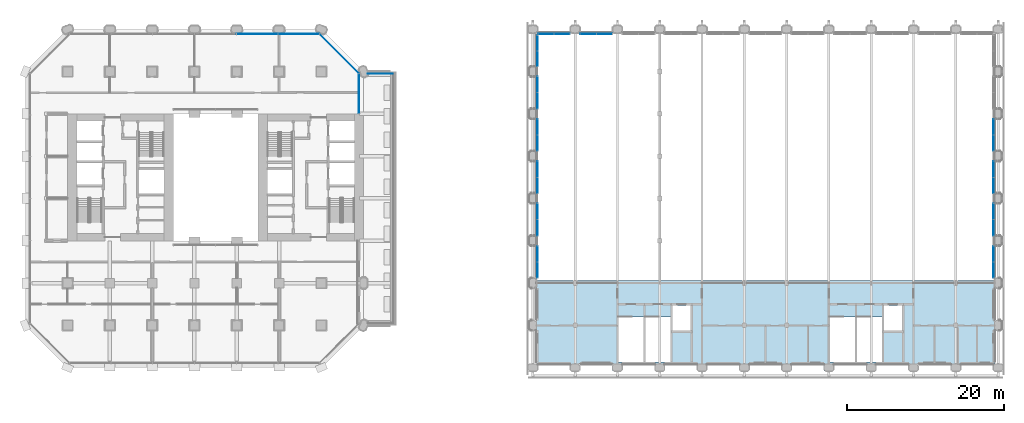
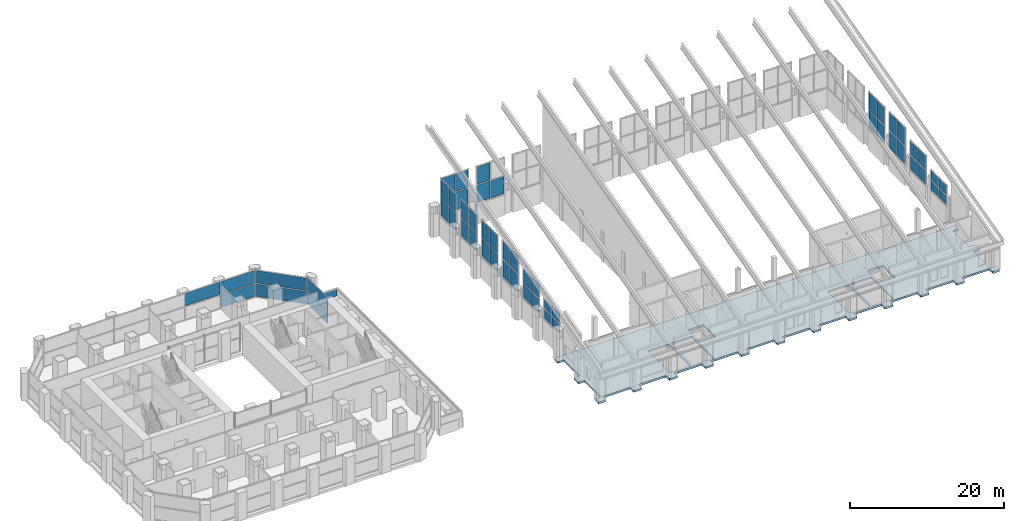
# One storey, part 25 of 42: 55 plates, 1 slab, 15 elements without a shape of their own.
"""IFC4 building model written with IfcOpenShell, lengths in metres."""

import ifcopenshell
import ifcopenshell.guid

model = None  # the IFC model being written
_history = None  # IfcOwnerHistory: only IFC2X3 demands one
_inside = {}  # id of a spatial element -> (the spatial element, [elements in it])
_under = {}  # id of a project, library or spatial element -> (it, [spatial elements below it])
_declared = {}  # id of a project -> (the project, [libraries it declares])
_typed = {}  # id of a type object -> (the type object, [elements of that type])
_made_of = {}  # id of a material, layer set ... -> (it, [elements and type objects made of it])


def new_model(schema):
    """Start an empty IFC model of exactly this schema.

    Asked for "IFC4X3", IfcOpenShell would pick the latest addendum, in which some entities
    have other attributes; the version numbers below select the first issue.
    IFC2X3 requires an IfcOwnerHistory on every rooted entity: one is made here for all.
    """
    global model, _history
    if schema == "IFC4X3":
        model = ifcopenshell.file(schema_version=(4, 3, 0, 0))
    else:
        model = ifcopenshell.file(schema=schema)
    _inside.clear()
    _under.clear()
    _declared.clear()
    _typed.clear()
    _made_of.clear()
    _history = None
    if model.schema == "IFC2X3":
        org = make("IfcOrganization", Name="unknown")
        user = make(
            "IfcPersonAndOrganization",
            ThePerson=make("IfcPerson", FamilyName="unknown"),
            TheOrganization=org,
        )
        app = make(
            "IfcApplication",
            ApplicationDeveloper=org,
            Version="unknown",
            ApplicationFullName="unknown",
            ApplicationIdentifier="unknown",
        )
        _history = make(
            "IfcOwnerHistory",
            OwningUser=user,
            OwningApplication=app,
            ChangeAction="ADDED",
            CreationDate=0,
        )
    return model


def make(cls, **values):
    """One entity of the class cls with the attributes given. An attribute that is None is left unset."""
    return model.create_entity(
        cls, **{name: value for name, value in values.items() if value is not None}
    )


def rooted(cls, **values):
    """An entity with a GlobalId (a new one), such as an element, a storey or a relation."""
    return make(cls, GlobalId=ifcopenshell.guid.new(), OwnerHistory=_history, **values)


def si_unit(unit_type, name, prefix=None):
    """IfcSIUnit, for example si_unit("LENGTHUNIT", "METRE", prefix="MILLI")."""
    return make("IfcSIUnit", UnitType=unit_type, Prefix=prefix, Name=name)


def assignment(units):
    """IfcUnitAssignment: the units of a project."""
    return None if units is None else make("IfcUnitAssignment", Units=units)


def point(xyz):
    """IfcCartesianPoint."""
    return None if xyz is None else make("IfcCartesianPoint", Coordinates=xyz)


def direction(xyz):
    """IfcDirection."""
    return None if xyz is None else make("IfcDirection", DirectionRatios=xyz)


def frame(location, z_axis=None, x_axis=None):
    """IfcAxis2Placement3D, a coordinate frame: its origin and axes. An axis left out is left unset."""
    return make(
        "IfcAxis2Placement3D",
        Location=point(location),
        Axis=direction(z_axis),
        RefDirection=direction(x_axis),
    )


def frame_2d(location, x_axis=None):
    """IfcAxis2Placement2D, a coordinate frame in the plane: its origin and x axis."""
    return make(
        "IfcAxis2Placement2D", Location=point(location), RefDirection=direction(x_axis)
    )


def origin():
    """The frame at (0, 0, 0) with its axes left unset."""
    return frame((0.0, 0.0, 0.0))


def origin_2d():
    """The frame at (0, 0) in the plane with its x axis left unset."""
    return frame_2d((0.0, 0.0))


def place(relative_to, where):
    """IfcLocalPlacement: puts the frame where relative to a parent placement (None: the world)."""
    return make(
        "IfcLocalPlacement", PlacementRelTo=relative_to, RelativePlacement=where
    )


def context(
    kind, dimensions, precision=None, world=None, true_north=None, identifier=None
):
    """IfcGeometricRepresentationContext, for example the 3D "Model" context."""
    return make(
        "IfcGeometricRepresentationContext",
        ContextIdentifier=identifier,
        ContextType=kind,
        CoordinateSpaceDimension=dimensions,
        Precision=precision,
        WorldCoordinateSystem=world,
        TrueNorth=true_north,
    )


def subcontext(parent, identifier, kind, view, scale=None):
    """IfcGeometricRepresentationSubContext, for example "Body" below "Model"."""
    return make(
        "IfcGeometricRepresentationSubContext",
        ContextIdentifier=identifier,
        ContextType=kind,
        ParentContext=parent,
        TargetScale=scale,
        TargetView=view,
    )


def project(units=None, contexts=None):
    """IfcProject with its units and contexts."""
    return rooted(
        "IfcProject",
        Name="project",
        RepresentationContexts=contexts,
        UnitsInContext=assignment(units),
    )


def spatial(cls, under=None, at=None, **own):
    """A site, building, storey or space (cls), placed at a placement, below another one or the project."""
    s = rooted(cls, ObjectPlacement=at, **own)
    if under is not None:
        _under.setdefault(under.id(), (under, []))[1].append(s)
    return s


def polyline(points):
    """IfcPolyline through the points."""
    return make("IfcPolyline", Points=[point(p) for p in points])


def profile(cls, at=None, kind="AREA", **sizes):
    """A parametric profile (cls). Its sizes go by their IFC names, for example OverallWidth=200.0."""
    return make(cls, ProfileType=kind, Position=at, **sizes)


def rectangle(**sizes):
    """IfcRectangleProfileDef."""
    return profile("IfcRectangleProfileDef", **sizes)


def outline(outer, holes=None, kind="AREA"):
    """IfcArbitraryClosedProfileDef: a profile drawn as a closed curve; with holes, ...WithVoids."""
    if holes is None:
        return make("IfcArbitraryClosedProfileDef", ProfileType=kind, OuterCurve=outer)
    return make(
        "IfcArbitraryProfileDefWithVoids",
        ProfileType=kind,
        OuterCurve=outer,
        InnerCurves=holes,
    )


def extrude(swept, where, along, depth):
    """IfcExtrudedAreaSolid: the profile swept, set in the frame where, extruded along a direction by depth."""
    return make(
        "IfcExtrudedAreaSolid",
        SweptArea=swept,
        Position=where,
        ExtrudedDirection=direction(along),
        Depth=depth,
    )


def shape(context_of_items, identifier, shape_type, items):
    """IfcShapeRepresentation: the items that make up one representation, for example the "Body"."""
    return make(
        "IfcShapeRepresentation",
        ContextOfItems=context_of_items,
        RepresentationIdentifier=identifier,
        RepresentationType=shape_type,
        Items=items,
    )


def material(Name=None, Category=None):
    """IfcMaterial."""
    return make("IfcMaterial", Name=Name, Category=Category)


def layer(
    of_material, thickness, ventilated=None, Name=None, Category=None, Priority=None
):
    """IfcMaterialLayer: one layer of a wall or slab, of a material (None: an air gap)."""
    return make(
        "IfcMaterialLayer",
        Material=of_material,
        LayerThickness=thickness,
        IsVentilated=ventilated,
        Name=Name,
        Category=Category,
        Priority=Priority,
    )


def layer_set(layers, Name=None):
    """IfcMaterialLayerSet."""
    return make("IfcMaterialLayerSet", MaterialLayers=layers, LayerSetName=Name)


def made_of(thing, what):
    """Note that an element or type object is made of a material, layer set ...; save() writes the relation."""
    if what is not None:
        _made_of.setdefault(what.id(), (what, []))[1].append(thing)
    return thing


def type_object(cls, material=None, **own):
    """A type object (cls), such as IfcWallType, which elements share."""
    return made_of(rooted(cls, **own), material)


def element(
    cls,
    number,
    at=None,
    inside=None,
    cuts=None,
    type_object=None,
    material=None,
    context=None,
    identifier="Body",
    shape_type=None,
    held_by="IfcProductDefinitionShape",
    body=None,
    shapes=None,
    **own,
):
    """One element of the class cls, such as IfcWall. Its Tag is "e" and its number.

    at: its placement. inside: the storey or other place that contains it. cuts: it is an
    opening in that element (IfcRelVoidsElement). A single representation is given by context,
    identifier, shape_type and body (its items); several are given by shapes. held_by: the class
    of the entity that holds the representations. save() writes the other relations.
    """
    e = rooted(cls, Tag="e%d" % number, ObjectPlacement=at, **own)
    if body is not None:
        shapes = [shape(context, identifier, shape_type, body)]
    if shapes is not None:
        e.Representation = make(held_by, Representations=shapes)
    if inside is not None:
        _inside.setdefault(inside.id(), (inside, []))[1].append(e)
    if cuts is not None:
        rooted(
            "IfcRelVoidsElement", RelatingBuildingElement=cuts, RelatedOpeningElement=e
        )
    if type_object is not None:
        _typed.setdefault(type_object.id(), (type_object, []))[1].append(e)
    return made_of(e, material)


def aggregate(whole, parts):
    """IfcRelAggregates: a whole, such as a stair, and the parts it consists of."""
    return rooted("IfcRelAggregates", RelatingObject=whole, RelatedObjects=parts)


def save(model, path):
    """Write the relations noted so far, then the file.

    IfcRelAggregates (storeys below a building ...), IfcRelContainedInSpatialStructure (elements
    in a storey), IfcRelDefinesByType, IfcRelAssociatesMaterial and IfcRelDeclares: one each for
    every whole, place, type object, material and project.
    """
    for whole, parts in _under.values():
        aggregate(whole, parts)
    for where, things in _inside.values():
        rooted(
            "IfcRelContainedInSpatialStructure",
            RelatedElements=things,
            RelatingStructure=where,
        )
    for kind, things in _typed.values():
        rooted("IfcRelDefinesByType", RelatedObjects=things, RelatingType=kind)
    for what, things in _made_of.values():
        rooted("IfcRelAssociatesMaterial", RelatedObjects=things, RelatingMaterial=what)
    for by, libraries in _declared.values():
        rooted("IfcRelDeclares", RelatingContext=by, RelatedDefinitions=libraries)
    model.write(path)


model = new_model("IFC4")

# Units and contexts
model_context = context("Model", 3, precision=1e-05, world=origin(), true_north=direction((0.0, 1.0)))
body_context = subcontext(model_context, "Body", "Model", "MODEL_VIEW")
ifc_project = project(units=[si_unit("LENGTHUNIT", "METRE"), si_unit("AREAUNIT", "SQUARE_METRE"), si_unit("VOLUMEUNIT", "CUBIC_METRE"), si_unit("PLANEANGLEUNIT", "RADIAN"), si_unit("MASSUNIT", "GRAM", prefix="KILO")], contexts=[model_context])

# Site, building, storey
site_placement = place(None, origin())
site = spatial("IfcSite", under=ifc_project, at=site_placement, CompositionType="ELEMENT")
building_placement = place(site_placement, origin())
building = spatial("IfcBuilding", under=site, at=building_placement, Name="Tabaq Tower and Sports Hall", CompositionType="ELEMENT")
storey_placement = place(building_placement, frame((0.0, 0.0, 19.800048828125)))
storey = spatial("IfcBuildingStorey", under=building, at=storey_placement, Name="L03", CompositionType="ELEMENT", Elevation=19.800048828125)

# Curtain wall, plates
ifc_material_1 = material(Name="Aluminium alloy 6063-T6 framed glazing", Category="aluminium")
curtain_wall_type_1 = type_object("IfcCurtainWallType", Name="CW6 curtain wall", PredefinedType="USERDEFINED", material=ifc_material_1)
curtain_wall_1_placement = place(storey_placement, origin())
curtain_wall_1 = element("IfcCurtainWall", 1, at=curtain_wall_1_placement, inside=storey, type_object=curtain_wall_type_1, Name="L03 N hall glazing run", ObjectType="HALL FACADE WALL", PredefinedType="USERDEFINED")
ifc_material_2 = material(Name="Clear low-emissivity glass 28 mm", Category="glass")
ifc_layer_1 = layer(ifc_material_2, 0.031982421875)
ifc_layer_set_1 = layer_set([ifc_layer_1], Name="CW6 glass panel 32")
plate_type_1 = type_object("IfcPlateType", Name="CW6 glass panel 32", PredefinedType="CURTAIN_PANEL", material=ifc_layer_set_1)
plate_1_placement = place(storey_placement, frame((66.467529296875, 42.60009765625, 3.35986328125), z_axis=(0.0, 0.0, 1.0), x_axis=(1.0, 0.0, 0.0)))
plate_1 = element("IfcPlate", 2, at=plate_1_placement, type_object=plate_type_1, Name="CW6 panel 1.1", PredefinedType="CURTAIN_PANEL", context=body_context, shape_type="SweptSolid", body=[
    extrude(rectangle(XDim=1.9951171875, YDim=0.031982421875, at=origin_2d()), origin(), (0.0, 0.0, 1.0), 2.760009765625),
])
plate_2_placement = place(storey_placement, frame((66.467529296875, 42.60009765625, 6.27978515625), z_axis=(0.0, 0.0, 1.0), x_axis=(1.0, 0.0, 0.0)))
plate_2 = element("IfcPlate", 3, at=plate_2_placement, type_object=plate_type_1, Name="CW6 panel 1.2", PredefinedType="CURTAIN_PANEL", context=body_context, shape_type="SweptSolid", body=[
    extrude(rectangle(XDim=1.9951171875, YDim=0.031982421875, at=origin_2d()), origin(), (0.0, 0.0, 1.0), 2.760009765625),
])
plate_3_placement = place(storey_placement, frame((68.532470703125, 42.60009765625, 3.35986328125), z_axis=(0.0, 0.0, 1.0), x_axis=(1.0, 0.0, 0.0)))
plate_3 = element("IfcPlate", 4, at=plate_3_placement, type_object=plate_type_1, Name="CW6 panel 2.1", PredefinedType="CURTAIN_PANEL", context=body_context, shape_type="SweptSolid", body=[
    extrude(rectangle(XDim=1.9951171875, YDim=0.031982421875, at=origin_2d()), origin(), (0.0, 0.0, 1.0), 2.760009765625),
])
plate_4_placement = place(storey_placement, frame((68.532470703125, 42.60009765625, 6.27978515625), z_axis=(0.0, 0.0, 1.0), x_axis=(1.0, 0.0, 0.0)))
plate_4 = element("IfcPlate", 5, at=plate_4_placement, type_object=plate_type_1, Name="CW6 panel 2.2", PredefinedType="CURTAIN_PANEL", context=body_context, shape_type="SweptSolid", body=[
    extrude(rectangle(XDim=1.9951171875, YDim=0.031982421875, at=origin_2d()), origin(), (0.0, 0.0, 1.0), 2.760009765625),
])
aggregate(curtain_wall_1, [plate_1, plate_2, plate_3, plate_4])

curtain_wall_2_placement = place(storey_placement, origin())
curtain_wall_2 = element("IfcCurtainWall", 6, at=curtain_wall_2_placement, inside=storey, type_object=curtain_wall_type_1, Name="L03 N hall glazing run", ObjectType="HALL FACADE WALL", PredefinedType="USERDEFINED")
plate_5_placement = place(storey_placement, frame((71.867431640625, 42.60009765625, 3.35986328125), z_axis=(0.0, 0.0, 1.0), x_axis=(1.0, 0.0, 0.0)))
plate_5 = element("IfcPlate", 7, at=plate_5_placement, type_object=plate_type_1, Name="CW6 panel 1.1", PredefinedType="CURTAIN_PANEL", context=body_context, shape_type="SweptSolid", body=[
    extrude(rectangle(XDim=1.9951171875, YDim=0.031982421875, at=origin_2d()), origin(), (0.0, 0.0, 1.0), 2.760009765625),
])
plate_6_placement = place(storey_placement, frame((71.867431640625, 42.60009765625, 6.27978515625), z_axis=(0.0, 0.0, 1.0), x_axis=(1.0, 0.0, 0.0)))
plate_6 = element("IfcPlate", 8, at=plate_6_placement, type_object=plate_type_1, Name="CW6 panel 1.2", PredefinedType="CURTAIN_PANEL", context=body_context, shape_type="SweptSolid", body=[
    extrude(rectangle(XDim=1.9951171875, YDim=0.031982421875, at=origin_2d()), origin(), (0.0, 0.0, 1.0), 2.760009765625),
])
plate_7_placement = place(storey_placement, frame((73.9326171875, 42.60009765625, 3.35986328125), z_axis=(0.0, 0.0, 1.0), x_axis=(1.0, 0.0, 0.0)))
plate_7 = element("IfcPlate", 9, at=plate_7_placement, type_object=plate_type_1, Name="CW6 panel 2.1", PredefinedType="CURTAIN_PANEL", context=body_context, shape_type="SweptSolid", body=[
    extrude(rectangle(XDim=1.9951171875, YDim=0.031982421875, at=origin_2d()), origin(), (0.0, 0.0, 1.0), 2.760009765625),
])
aggregate(curtain_wall_2, [plate_5, plate_6, plate_7])

curtain_wall_3_placement = place(storey_placement, origin())
curtain_wall_3 = element("IfcCurtainWall", 10, at=curtain_wall_3_placement, inside=storey, type_object=curtain_wall_type_1, Name="L03 W hall glazing run", ObjectType="HALL FACADE WALL", PredefinedType="USERDEFINED")
plate_8_placement = place(storey_placement, frame((65.39990234375, 12.467529296875, 3.35986328125), z_axis=(0.0, 0.0, 1.0), x_axis=(0.0, 1.0, 0.0)))
plate_8 = element("IfcPlate", 11, at=plate_8_placement, type_object=plate_type_1, Name="CW6 panel 1.1", PredefinedType="CURTAIN_PANEL", context=body_context, shape_type="SweptSolid", body=[
    extrude(rectangle(XDim=1.9951171875, YDim=0.031982421875, at=origin_2d()), origin(), (0.0, 0.0, 1.0), 1.448486328125),
])
plate_9_placement = place(storey_placement, frame((65.39990234375, 12.467529296875, 4.96826171875), z_axis=(0.0, 0.0, 1.0), x_axis=(0.0, 1.0, 0.0)))
plate_9 = element("IfcPlate", 12, at=plate_9_placement, type_object=plate_type_1, Name="CW6 panel 1.2", PredefinedType="CURTAIN_PANEL", context=body_context, shape_type="SweptSolid", body=[
    extrude(rectangle(XDim=1.9951171875, YDim=0.031982421875, at=origin_2d()), origin(), (0.0, 0.0, 1.0), 1.448486328125),
])
plate_10_placement = place(storey_placement, frame((65.39990234375, 14.532470703125, 3.35986328125), z_axis=(0.0, 0.0, 1.0), x_axis=(0.0, 1.0, 0.0)))
plate_10 = element("IfcPlate", 13, at=plate_10_placement, type_object=plate_type_1, Name="CW6 panel 2.1", PredefinedType="CURTAIN_PANEL", context=body_context, shape_type="SweptSolid", body=[
    extrude(rectangle(XDim=1.9951171875, YDim=0.031982421875, at=origin_2d()), origin(), (0.0, 0.0, 1.0), 1.448486328125),
])
plate_11_placement = place(storey_placement, frame((65.39990234375, 14.532470703125, 4.96826171875), z_axis=(0.0, 0.0, 1.0), x_axis=(0.0, 1.0, 0.0)))
plate_11 = element("IfcPlate", 14, at=plate_11_placement, type_object=plate_type_1, Name="CW6 panel 2.2", PredefinedType="CURTAIN_PANEL", context=body_context, shape_type="SweptSolid", body=[
    extrude(rectangle(XDim=1.9951171875, YDim=0.031982421875, at=origin_2d()), origin(), (0.0, 0.0, 1.0), 1.448486328125),
])
aggregate(curtain_wall_3, [plate_8, plate_9, plate_10, plate_11])

curtain_wall_4_placement = place(storey_placement, origin())
curtain_wall_4 = element("IfcCurtainWall", 15, at=curtain_wall_4_placement, inside=storey, type_object=curtain_wall_type_1, Name="L03 W hall glazing run", ObjectType="HALL FACADE WALL", PredefinedType="USERDEFINED")
plate_12_placement = place(storey_placement, frame((65.39990234375, 17.867431640625, 3.35986328125), z_axis=(0.0, 0.0, 1.0), x_axis=(0.0, 1.0, 0.0)))
plate_12 = element("IfcPlate", 16, at=plate_12_placement, type_object=plate_type_1, Name="CW6 panel 1.1", PredefinedType="CURTAIN_PANEL", context=body_context, shape_type="SweptSolid", body=[
    extrude(rectangle(XDim=1.9951171875, YDim=0.031982421875, at=origin_2d()), origin(), (0.0, 0.0, 1.0), 2.171875),
])
plate_13_placement = place(storey_placement, frame((65.39990234375, 17.867431640625, 5.69189453125), z_axis=(0.0, 0.0, 1.0), x_axis=(0.0, 1.0, 0.0)))
plate_13 = element("IfcPlate", 17, at=plate_13_placement, type_object=plate_type_1, Name="CW6 panel 1.2", PredefinedType="CURTAIN_PANEL", context=body_context, shape_type="SweptSolid", body=[
    extrude(rectangle(XDim=1.9951171875, YDim=0.031982421875, at=origin_2d()), origin(), (0.0, 0.0, 1.0), 2.171875),
])
plate_14_placement = place(storey_placement, frame((65.39990234375, 19.9326171875, 3.35986328125), z_axis=(0.0, 0.0, 1.0), x_axis=(0.0, 1.0, 0.0)))
plate_14 = element("IfcPlate", 18, at=plate_14_placement, type_object=plate_type_1, Name="CW6 panel 2.1", PredefinedType="CURTAIN_PANEL", context=body_context, shape_type="SweptSolid", body=[
    extrude(rectangle(XDim=1.9951171875, YDim=0.031982421875, at=origin_2d()), origin(), (0.0, 0.0, 1.0), 2.171875),
])
plate_15_placement = place(storey_placement, frame((65.39990234375, 19.9326171875, 5.69189453125), z_axis=(0.0, 0.0, 1.0), x_axis=(0.0, 1.0, 0.0)))
plate_15 = element("IfcPlate", 19, at=plate_15_placement, type_object=plate_type_1, Name="CW6 panel 2.2", PredefinedType="CURTAIN_PANEL", context=body_context, shape_type="SweptSolid", body=[
    extrude(rectangle(XDim=1.9951171875, YDim=0.031982421875, at=origin_2d()), origin(), (0.0, 0.0, 1.0), 2.171875),
])
aggregate(curtain_wall_4, [plate_12, plate_13, plate_14, plate_15])

curtain_wall_5_placement = place(storey_placement, origin())
curtain_wall_5 = element("IfcCurtainWall", 20, at=curtain_wall_5_placement, inside=storey, type_object=curtain_wall_type_1, Name="L03 W hall glazing run", ObjectType="HALL FACADE WALL", PredefinedType="USERDEFINED")
plate_16_placement = place(storey_placement, frame((65.39990234375, 23.267578125, 3.35986328125), z_axis=(0.0, 0.0, 1.0), x_axis=(0.0, 1.0, 0.0)))
plate_16 = element("IfcPlate", 21, at=plate_16_placement, type_object=plate_type_1, Name="CW6 panel 1.1", PredefinedType="CURTAIN_PANEL", context=body_context, shape_type="SweptSolid", body=[
    extrude(rectangle(XDim=1.9951171875, YDim=0.031982421875, at=origin_2d()), origin(), (0.0, 0.0, 1.0), 2.760009765625),
])
plate_17_placement = place(storey_placement, frame((65.39990234375, 23.267578125, 6.27978515625), z_axis=(0.0, 0.0, 1.0), x_axis=(0.0, 1.0, 0.0)))
plate_17 = element("IfcPlate", 22, at=plate_17_placement, type_object=plate_type_1, Name="CW6 panel 1.2", PredefinedType="CURTAIN_PANEL", context=body_context, shape_type="SweptSolid", body=[
    extrude(rectangle(XDim=1.9951171875, YDim=0.031982421875, at=origin_2d()), origin(), (0.0, 0.0, 1.0), 2.760009765625),
])
plate_18_placement = place(storey_placement, frame((65.39990234375, 25.33251953125, 3.35986328125), z_axis=(0.0, 0.0, 1.0), x_axis=(0.0, 1.0, 0.0)))
plate_18 = element("IfcPlate", 23, at=plate_18_placement, type_object=plate_type_1, Name="CW6 panel 2.1", PredefinedType="CURTAIN_PANEL", context=body_context, shape_type="SweptSolid", body=[
    extrude(rectangle(XDim=1.9951171875, YDim=0.031982421875, at=origin_2d()), origin(), (0.0, 0.0, 1.0), 2.760009765625),
])
plate_19_placement = place(storey_placement, frame((65.39990234375, 25.33251953125, 6.27978515625), z_axis=(0.0, 0.0, 1.0), x_axis=(0.0, 1.0, 0.0)))
plate_19 = element("IfcPlate", 24, at=plate_19_placement, type_object=plate_type_1, Name="CW6 panel 2.2", PredefinedType="CURTAIN_PANEL", context=body_context, shape_type="SweptSolid", body=[
    extrude(rectangle(XDim=1.9951171875, YDim=0.031982421875, at=origin_2d()), origin(), (0.0, 0.0, 1.0), 2.760009765625),
])
aggregate(curtain_wall_5, [plate_16, plate_17, plate_18, plate_19])

curtain_wall_6_placement = place(storey_placement, origin())
curtain_wall_6 = element("IfcCurtainWall", 25, at=curtain_wall_6_placement, inside=storey, type_object=curtain_wall_type_1, Name="L03 W hall glazing run", ObjectType="HALL FACADE WALL", PredefinedType="USERDEFINED")
plate_20_placement = place(storey_placement, frame((65.39990234375, 28.66748046875, 3.35986328125), z_axis=(0.0, 0.0, 1.0), x_axis=(0.0, 1.0, 0.0)))
plate_20 = element("IfcPlate", 26, at=plate_20_placement, type_object=plate_type_1, Name="CW6 panel 1.1", PredefinedType="CURTAIN_PANEL", context=body_context, shape_type="SweptSolid", body=[
    extrude(rectangle(XDim=1.9951171875, YDim=0.031982421875, at=origin_2d()), origin(), (0.0, 0.0, 1.0), 2.760009765625),
])
plate_21_placement = place(storey_placement, frame((65.39990234375, 28.66748046875, 6.27978515625), z_axis=(0.0, 0.0, 1.0), x_axis=(0.0, 1.0, 0.0)))
plate_21 = element("IfcPlate", 27, at=plate_21_placement, type_object=plate_type_1, Name="CW6 panel 1.2", PredefinedType="CURTAIN_PANEL", context=body_context, shape_type="SweptSolid", body=[
    extrude(rectangle(XDim=1.9951171875, YDim=0.031982421875, at=origin_2d()), origin(), (0.0, 0.0, 1.0), 2.760009765625),
])
plate_22_placement = place(storey_placement, frame((65.39990234375, 30.732421875, 3.35986328125), z_axis=(0.0, 0.0, 1.0), x_axis=(0.0, 1.0, 0.0)))
plate_22 = element("IfcPlate", 28, at=plate_22_placement, type_object=plate_type_1, Name="CW6 panel 2.1", PredefinedType="CURTAIN_PANEL", context=body_context, shape_type="SweptSolid", body=[
    extrude(rectangle(XDim=1.9951171875, YDim=0.031982421875, at=origin_2d()), origin(), (0.0, 0.0, 1.0), 2.760009765625),
])
plate_23_placement = place(storey_placement, frame((65.39990234375, 30.732421875, 6.27978515625), z_axis=(0.0, 0.0, 1.0), x_axis=(0.0, 1.0, 0.0)))
plate_23 = element("IfcPlate", 29, at=plate_23_placement, type_object=plate_type_1, Name="CW6 panel 2.2", PredefinedType="CURTAIN_PANEL", context=body_context, shape_type="SweptSolid", body=[
    extrude(rectangle(XDim=1.9951171875, YDim=0.031982421875, at=origin_2d()), origin(), (0.0, 0.0, 1.0), 2.760009765625),
])
aggregate(curtain_wall_6, [plate_20, plate_21, plate_22, plate_23])

curtain_wall_7_placement = place(storey_placement, origin())
curtain_wall_7 = element("IfcCurtainWall", 30, at=curtain_wall_7_placement, inside=storey, type_object=curtain_wall_type_1, Name="L03 W hall glazing run", ObjectType="HALL FACADE WALL", PredefinedType="USERDEFINED")
plate_24_placement = place(storey_placement, frame((65.39990234375, 34.0673828125, 3.35986328125), z_axis=(0.0, 0.0, 1.0), x_axis=(0.0, 1.0, 0.0)))
plate_24 = element("IfcPlate", 31, at=plate_24_placement, type_object=plate_type_1, Name="CW6 panel 1.1", PredefinedType="CURTAIN_PANEL", context=body_context, shape_type="SweptSolid", body=[
    extrude(rectangle(XDim=1.9951171875, YDim=0.031982421875, at=origin_2d()), origin(), (0.0, 0.0, 1.0), 2.760009765625),
])
plate_25_placement = place(storey_placement, frame((65.39990234375, 34.0673828125, 6.27978515625), z_axis=(0.0, 0.0, 1.0), x_axis=(0.0, 1.0, 0.0)))
plate_25 = element("IfcPlate", 32, at=plate_25_placement, type_object=plate_type_1, Name="CW6 panel 1.2", PredefinedType="CURTAIN_PANEL", context=body_context, shape_type="SweptSolid", body=[
    extrude(rectangle(XDim=1.9951171875, YDim=0.031982421875, at=origin_2d()), origin(), (0.0, 0.0, 1.0), 2.760009765625),
])
plate_26_placement = place(storey_placement, frame((65.39990234375, 36.132568359375, 3.35986328125), z_axis=(0.0, 0.0, 1.0), x_axis=(0.0, 1.0, 0.0)))
plate_26 = element("IfcPlate", 33, at=plate_26_placement, type_object=plate_type_1, Name="CW6 panel 2.1", PredefinedType="CURTAIN_PANEL", context=body_context, shape_type="SweptSolid", body=[
    extrude(rectangle(XDim=1.9951171875, YDim=0.031982421875, at=origin_2d()), origin(), (0.0, 0.0, 1.0), 2.760009765625),
])
plate_27_placement = place(storey_placement, frame((65.39990234375, 36.132568359375, 6.27978515625), z_axis=(0.0, 0.0, 1.0), x_axis=(0.0, 1.0, 0.0)))
plate_27 = element("IfcPlate", 34, at=plate_27_placement, type_object=plate_type_1, Name="CW6 panel 2.2", PredefinedType="CURTAIN_PANEL", context=body_context, shape_type="SweptSolid", body=[
    extrude(rectangle(XDim=1.9951171875, YDim=0.031982421875, at=origin_2d()), origin(), (0.0, 0.0, 1.0), 2.760009765625),
])
aggregate(curtain_wall_7, [plate_24, plate_25, plate_26, plate_27])

curtain_wall_8_placement = place(storey_placement, origin())
curtain_wall_8 = element("IfcCurtainWall", 35, at=curtain_wall_8_placement, inside=storey, type_object=curtain_wall_type_1, Name="L03 W hall glazing run", ObjectType="HALL FACADE WALL", PredefinedType="USERDEFINED")
plate_28_placement = place(storey_placement, frame((65.39990234375, 39.429931640625, 3.35986328125), z_axis=(0.0, 0.0, 1.0), x_axis=(0.0, 1.0, 0.0)))
plate_28 = element("IfcPlate", 36, at=plate_28_placement, type_object=plate_type_1, Name="CW6 panel 1.1", PredefinedType="CURTAIN_PANEL", context=body_context, shape_type="SweptSolid", body=[
    extrude(rectangle(XDim=1.919921875, YDim=0.031982421875, at=origin_2d()), origin(), (0.0, 0.0, 1.0), 2.760009765625),
])
plate_29_placement = place(storey_placement, frame((65.39990234375, 39.429931640625, 6.27978515625), z_axis=(0.0, 0.0, 1.0), x_axis=(0.0, 1.0, 0.0)))
plate_29 = element("IfcPlate", 37, at=plate_29_placement, type_object=plate_type_1, Name="CW6 panel 1.2", PredefinedType="CURTAIN_PANEL", context=body_context, shape_type="SweptSolid", body=[
    extrude(rectangle(XDim=1.919921875, YDim=0.031982421875, at=origin_2d()), origin(), (0.0, 0.0, 1.0), 2.760009765625),
])
plate_30_placement = place(storey_placement, frame((65.39990234375, 41.419921875, 3.35986328125), z_axis=(0.0, 0.0, 1.0), x_axis=(0.0, 1.0, 0.0)))
plate_30 = element("IfcPlate", 38, at=plate_30_placement, type_object=plate_type_1, Name="CW6 panel 2.1", PredefinedType="CURTAIN_PANEL", context=body_context, shape_type="SweptSolid", body=[
    extrude(rectangle(XDim=1.919921875, YDim=0.031982421875, at=origin_2d()), origin(), (0.0, 0.0, 1.0), 2.760009765625),
])
plate_31_placement = place(storey_placement, frame((65.39990234375, 41.419921875, 6.27978515625), z_axis=(0.0, 0.0, 1.0), x_axis=(0.0, 1.0, 0.0)))
plate_31 = element("IfcPlate", 39, at=plate_31_placement, type_object=plate_type_1, Name="CW6 panel 2.2", PredefinedType="CURTAIN_PANEL", context=body_context, shape_type="SweptSolid", body=[
    extrude(rectangle(XDim=1.919921875, YDim=0.031982421875, at=origin_2d()), origin(), (0.0, 0.0, 1.0), 2.760009765625),
])
aggregate(curtain_wall_8, [plate_28, plate_29, plate_30, plate_31])

curtain_wall_9_placement = place(storey_placement, origin())
curtain_wall_9 = element("IfcCurtainWall", 40, at=curtain_wall_9_placement, inside=storey, type_object=curtain_wall_type_1, Name="L03 E hall glazing run", ObjectType="HALL FACADE WALL", PredefinedType="USERDEFINED")
plate_32_placement = place(storey_placement, frame((123.60009765625, 12.467529296875, 3.35986328125), z_axis=(0.0, 0.0, 1.0), x_axis=(0.0, 1.0, 0.0)))
plate_32 = element("IfcPlate", 41, at=plate_32_placement, type_object=plate_type_1, Name="CW6 panel 1.1", PredefinedType="CURTAIN_PANEL", context=body_context, shape_type="SweptSolid", body=[
    extrude(rectangle(XDim=1.9951171875, YDim=0.031982421875, at=origin_2d()), origin(), (0.0, 0.0, 1.0), 1.448486328125),
])
plate_33_placement = place(storey_placement, frame((123.60009765625, 12.467529296875, 4.96826171875), z_axis=(0.0, 0.0, 1.0), x_axis=(0.0, 1.0, 0.0)))
plate_33 = element("IfcPlate", 42, at=plate_33_placement, type_object=plate_type_1, Name="CW6 panel 1.2", PredefinedType="CURTAIN_PANEL", context=body_context, shape_type="SweptSolid", body=[
    extrude(rectangle(XDim=1.9951171875, YDim=0.031982421875, at=origin_2d()), origin(), (0.0, 0.0, 1.0), 1.448486328125),
])
plate_34_placement = place(storey_placement, frame((123.60009765625, 14.532470703125, 3.35986328125), z_axis=(0.0, 0.0, 1.0), x_axis=(0.0, 1.0, 0.0)))
plate_34 = element("IfcPlate", 43, at=plate_34_placement, type_object=plate_type_1, Name="CW6 panel 2.1", PredefinedType="CURTAIN_PANEL", context=body_context, shape_type="SweptSolid", body=[
    extrude(rectangle(XDim=1.9951171875, YDim=0.031982421875, at=origin_2d()), origin(), (0.0, 0.0, 1.0), 1.448486328125),
])
plate_35_placement = place(storey_placement, frame((123.60009765625, 14.532470703125, 4.96826171875), z_axis=(0.0, 0.0, 1.0), x_axis=(0.0, 1.0, 0.0)))
plate_35 = element("IfcPlate", 44, at=plate_35_placement, type_object=plate_type_1, Name="CW6 panel 2.2", PredefinedType="CURTAIN_PANEL", context=body_context, shape_type="SweptSolid", body=[
    extrude(rectangle(XDim=1.9951171875, YDim=0.031982421875, at=origin_2d()), origin(), (0.0, 0.0, 1.0), 1.448486328125),
])
aggregate(curtain_wall_9, [plate_32, plate_33, plate_34, plate_35])

curtain_wall_10_placement = place(storey_placement, origin())
curtain_wall_10 = element("IfcCurtainWall", 45, at=curtain_wall_10_placement, inside=storey, type_object=curtain_wall_type_1, Name="L03 E hall glazing run", ObjectType="HALL FACADE WALL", PredefinedType="USERDEFINED")
plate_36_placement = place(storey_placement, frame((123.60009765625, 17.867431640625, 3.35986328125), z_axis=(0.0, 0.0, 1.0), x_axis=(0.0, 1.0, 0.0)))
plate_36 = element("IfcPlate", 46, at=plate_36_placement, type_object=plate_type_1, Name="CW6 panel 1.1", PredefinedType="CURTAIN_PANEL", context=body_context, shape_type="SweptSolid", body=[
    extrude(rectangle(XDim=1.9951171875, YDim=0.031982421875, at=origin_2d()), origin(), (0.0, 0.0, 1.0), 2.171875),
])
plate_37_placement = place(storey_placement, frame((123.60009765625, 17.867431640625, 5.69189453125), z_axis=(0.0, 0.0, 1.0), x_axis=(0.0, 1.0, 0.0)))
plate_37 = element("IfcPlate", 47, at=plate_37_placement, type_object=plate_type_1, Name="CW6 panel 1.2", PredefinedType="CURTAIN_PANEL", context=body_context, shape_type="SweptSolid", body=[
    extrude(rectangle(XDim=1.9951171875, YDim=0.031982421875, at=origin_2d()), origin(), (0.0, 0.0, 1.0), 2.171875),
])
plate_38_placement = place(storey_placement, frame((123.60009765625, 19.9326171875, 3.35986328125), z_axis=(0.0, 0.0, 1.0), x_axis=(0.0, 1.0, 0.0)))
plate_38 = element("IfcPlate", 48, at=plate_38_placement, type_object=plate_type_1, Name="CW6 panel 2.1", PredefinedType="CURTAIN_PANEL", context=body_context, shape_type="SweptSolid", body=[
    extrude(rectangle(XDim=1.9951171875, YDim=0.031982421875, at=origin_2d()), origin(), (0.0, 0.0, 1.0), 2.171875),
])
plate_39_placement = place(storey_placement, frame((123.60009765625, 19.9326171875, 5.69189453125), z_axis=(0.0, 0.0, 1.0), x_axis=(0.0, 1.0, 0.0)))
plate_39 = element("IfcPlate", 49, at=plate_39_placement, type_object=plate_type_1, Name="CW6 panel 2.2", PredefinedType="CURTAIN_PANEL", context=body_context, shape_type="SweptSolid", body=[
    extrude(rectangle(XDim=1.9951171875, YDim=0.031982421875, at=origin_2d()), origin(), (0.0, 0.0, 1.0), 2.171875),
])
aggregate(curtain_wall_10, [plate_36, plate_37, plate_38, plate_39])

curtain_wall_11_placement = place(storey_placement, origin())
curtain_wall_11 = element("IfcCurtainWall", 50, at=curtain_wall_11_placement, inside=storey, type_object=curtain_wall_type_1, Name="L03 E hall glazing run", ObjectType="HALL FACADE WALL", PredefinedType="USERDEFINED")
plate_40_placement = place(storey_placement, frame((123.60009765625, 23.267578125, 3.35986328125), z_axis=(0.0, 0.0, 1.0), x_axis=(0.0, 1.0, 0.0)))
plate_40 = element("IfcPlate", 51, at=plate_40_placement, type_object=plate_type_1, Name="CW6 panel 1.1", PredefinedType="CURTAIN_PANEL", context=body_context, shape_type="SweptSolid", body=[
    extrude(rectangle(XDim=1.9951171875, YDim=0.031982421875, at=origin_2d()), origin(), (0.0, 0.0, 1.0), 2.760009765625),
])
plate_41_placement = place(storey_placement, frame((123.60009765625, 23.267578125, 6.27978515625), z_axis=(0.0, 0.0, 1.0), x_axis=(0.0, 1.0, 0.0)))
plate_41 = element("IfcPlate", 52, at=plate_41_placement, type_object=plate_type_1, Name="CW6 panel 1.2", PredefinedType="CURTAIN_PANEL", context=body_context, shape_type="SweptSolid", body=[
    extrude(rectangle(XDim=1.9951171875, YDim=0.031982421875, at=origin_2d()), origin(), (0.0, 0.0, 1.0), 2.760009765625),
])
plate_42_placement = place(storey_placement, frame((123.60009765625, 25.33251953125, 3.35986328125), z_axis=(0.0, 0.0, 1.0), x_axis=(0.0, 1.0, 0.0)))
plate_42 = element("IfcPlate", 53, at=plate_42_placement, type_object=plate_type_1, Name="CW6 panel 2.1", PredefinedType="CURTAIN_PANEL", context=body_context, shape_type="SweptSolid", body=[
    extrude(rectangle(XDim=1.9951171875, YDim=0.031982421875, at=origin_2d()), origin(), (0.0, 0.0, 1.0), 2.760009765625),
])
plate_43_placement = place(storey_placement, frame((123.60009765625, 25.33251953125, 6.27978515625), z_axis=(0.0, 0.0, 1.0), x_axis=(0.0, 1.0, 0.0)))
plate_43 = element("IfcPlate", 54, at=plate_43_placement, type_object=plate_type_1, Name="CW6 panel 2.2", PredefinedType="CURTAIN_PANEL", context=body_context, shape_type="SweptSolid", body=[
    extrude(rectangle(XDim=1.9951171875, YDim=0.031982421875, at=origin_2d()), origin(), (0.0, 0.0, 1.0), 2.760009765625),
])
aggregate(curtain_wall_11, [plate_40, plate_41, plate_42, plate_43])

curtain_wall_12_placement = place(storey_placement, origin())
curtain_wall_12 = element("IfcCurtainWall", 55, at=curtain_wall_12_placement, inside=storey, type_object=curtain_wall_type_1, Name="L03 E hall glazing run", ObjectType="HALL FACADE WALL", PredefinedType="USERDEFINED")
plate_44_placement = place(storey_placement, frame((123.60009765625, 28.66748046875, 3.35986328125), z_axis=(0.0, 0.0, 1.0), x_axis=(0.0, 1.0, 0.0)))
plate_44 = element("IfcPlate", 56, at=plate_44_placement, type_object=plate_type_1, Name="CW6 panel 1.1", PredefinedType="CURTAIN_PANEL", context=body_context, shape_type="SweptSolid", body=[
    extrude(rectangle(XDim=1.9951171875, YDim=0.031982421875, at=origin_2d()), origin(), (0.0, 0.0, 1.0), 2.760009765625),
])
plate_45_placement = place(storey_placement, frame((123.60009765625, 28.66748046875, 6.27978515625), z_axis=(0.0, 0.0, 1.0), x_axis=(0.0, 1.0, 0.0)))
plate_45 = element("IfcPlate", 57, at=plate_45_placement, type_object=plate_type_1, Name="CW6 panel 1.2", PredefinedType="CURTAIN_PANEL", context=body_context, shape_type="SweptSolid", body=[
    extrude(rectangle(XDim=1.9951171875, YDim=0.031982421875, at=origin_2d()), origin(), (0.0, 0.0, 1.0), 2.760009765625),
])
plate_46_placement = place(storey_placement, frame((123.60009765625, 30.732421875, 3.35986328125), z_axis=(0.0, 0.0, 1.0), x_axis=(0.0, 1.0, 0.0)))
plate_46 = element("IfcPlate", 58, at=plate_46_placement, type_object=plate_type_1, Name="CW6 panel 2.1", PredefinedType="CURTAIN_PANEL", context=body_context, shape_type="SweptSolid", body=[
    extrude(rectangle(XDim=1.9951171875, YDim=0.031982421875, at=origin_2d()), origin(), (0.0, 0.0, 1.0), 2.760009765625),
])
plate_47_placement = place(storey_placement, frame((123.60009765625, 30.732421875, 6.27978515625), z_axis=(0.0, 0.0, 1.0), x_axis=(0.0, 1.0, 0.0)))
plate_47 = element("IfcPlate", 59, at=plate_47_placement, type_object=plate_type_1, Name="CW6 panel 2.2", PredefinedType="CURTAIN_PANEL", context=body_context, shape_type="SweptSolid", body=[
    extrude(rectangle(XDim=1.9951171875, YDim=0.031982421875, at=origin_2d()), origin(), (0.0, 0.0, 1.0), 2.760009765625),
])
aggregate(curtain_wall_12, [plate_44, plate_45, plate_46, plate_47])

ifc_material_3 = material(Name="Aluminium alloy 6063-T6 framed glazing", Category="aluminium")
curtain_wall_type_2 = type_object("IfcCurtainWallType", Name="CW7 curtain wall", PredefinedType="USERDEFINED", material=ifc_material_3)
curtain_wall_13_placement = place(storey_placement, origin())
curtain_wall_13 = element("IfcCurtainWall", 60, at=curtain_wall_13_placement, inside=storey, type_object=curtain_wall_type_2, Name="Podium Wall L03 E", ObjectType="PODIUM WALL", PredefinedType="USERDEFINED")
ifc_material_4 = material(Name="Clear low-emissivity glass 28 mm", Category="glass")
ifc_layer_2 = layer(ifc_material_4, 0.030029296875)
ifc_layer_set_2 = layer_set([ifc_layer_2], Name="CW7 glass panel 30")
plate_type_2 = type_object("IfcPlateType", Name="CW7 glass panel 30", PredefinedType="CURTAIN_PANEL", material=ifc_layer_set_2)
plate_48_placement = place(storey_placement, frame((42.60009765625, 35.0068359375, 0.14013671875), z_axis=(0.0, 0.0, 1.0), x_axis=(0.0, 1.0, 0.0)))
plate_48 = element("IfcPlate", 61, at=plate_48_placement, type_object=plate_type_2, Name="CW7 panel 1.1", PredefinedType="CURTAIN_PANEL", context=body_context, shape_type="SweptSolid", body=[
    extrude(rectangle(XDim=5.08349609375, YDim=0.030029296875, at=origin_2d()), origin(), (0.0, 0.0, 1.0), 1.989990234375),
])
plate_49_placement = place(storey_placement, frame((42.60009765625, 35.0068359375, 2.27001953125), z_axis=(0.0, 0.0, 1.0), x_axis=(0.0, 1.0, 0.0)))
plate_49 = element("IfcPlate", 62, at=plate_49_placement, type_object=plate_type_2, Name="CW7 panel 1.2", PredefinedType="CURTAIN_PANEL", context=body_context, shape_type="SweptSolid", body=[
    extrude(rectangle(XDim=5.08349609375, YDim=0.030029296875, at=origin_2d()), origin(), (0.0, 0.0, 1.0), 1.989990234375),
])
aggregate(curtain_wall_13, [plate_48, plate_49])

curtain_wall_14_placement = place(storey_placement, origin())
curtain_wall_14 = element("IfcCurtainWall", 63, at=curtain_wall_14_placement, inside=storey, type_object=curtain_wall_type_2, Name="Podium Wall L03 NE", ObjectType="PODIUM WALL", PredefinedType="USERDEFINED")
plate_50_placement = place(storey_placement, frame((40.07568359375, 40.07568359375, 0.14013671875), z_axis=(0.0, 0.0, 1.0), x_axis=(-0.707106781187, 0.707106781187, 0.0)))
plate_50 = element("IfcPlate", 64, at=plate_50_placement, type_object=plate_type_2, Name="CW7 panel 1.1", PredefinedType="CURTAIN_PANEL", context=body_context, shape_type="SweptSolid", body=[
    extrude(rectangle(XDim=7.009765625, YDim=0.030029296875, at=origin_2d()), origin(), (0.0, 0.0, 1.0), 1.989990234375),
])
plate_51_placement = place(storey_placement, frame((40.07568359375, 40.07568359375, 2.27001953125), z_axis=(0.0, 0.0, 1.0), x_axis=(-0.707106781187, 0.707106781187, 0.0)))
plate_51 = element("IfcPlate", 65, at=plate_51_placement, type_object=plate_type_2, Name="CW7 panel 1.2", PredefinedType="CURTAIN_PANEL", context=body_context, shape_type="SweptSolid", body=[
    extrude(rectangle(XDim=7.009765625, YDim=0.030029296875, at=origin_2d()), origin(), (0.0, 0.0, 1.0), 1.989990234375),
])
aggregate(curtain_wall_14, [plate_50, plate_51])

curtain_wall_15_placement = place(storey_placement, origin())
curtain_wall_15 = element("IfcCurtainWall", 66, at=curtain_wall_15_placement, inside=storey, type_object=curtain_wall_type_2, Name="Podium Wall L03 N", ObjectType="PODIUM WALL", PredefinedType="USERDEFINED")
plate_52_placement = place(storey_placement, frame((34.928466796875, 42.60009765625, 0.14013671875), z_axis=(0.0, 0.0, 1.0), x_axis=(-1.0, 0.0, 0.0)))
plate_52 = element("IfcPlate", 67, at=plate_52_placement, type_object=plate_type_2, Name="CW7 panel 1.1", PredefinedType="CURTAIN_PANEL", context=body_context, shape_type="SweptSolid", body=[
    extrude(rectangle(XDim=5.240478515625, YDim=0.030029296875, at=origin_2d()), origin(), (0.0, 0.0, 1.0), 1.989990234375),
])
plate_53_placement = place(storey_placement, frame((34.928466796875, 42.60009765625, 2.27001953125), z_axis=(0.0, 0.0, 1.0), x_axis=(-1.0, 0.0, 0.0)))
plate_53 = element("IfcPlate", 68, at=plate_53_placement, type_object=plate_type_2, Name="CW7 panel 1.2", PredefinedType="CURTAIN_PANEL", context=body_context, shape_type="SweptSolid", body=[
    extrude(rectangle(XDim=5.240478515625, YDim=0.030029296875, at=origin_2d()), origin(), (0.0, 0.0, 1.0), 1.989990234375),
])
plate_54_placement = place(storey_placement, frame((29.606689453125, 42.60009765625, 2.27001953125), z_axis=(0.0, 0.0, 1.0), x_axis=(-1.0, 0.0, 0.0)))
plate_54 = element("IfcPlate", 69, at=plate_54_placement, type_object=plate_type_2, Name="CW7 panel 2.2", PredefinedType="CURTAIN_PANEL", context=body_context, shape_type="SweptSolid", body=[
    extrude(rectangle(XDim=5.27294921875, YDim=0.030029296875, at=origin_2d()), origin(), (0.0, 0.0, 1.0), 1.989990234375),
])
aggregate(curtain_wall_15, [plate_52, plate_53, plate_54])

# Slab
ifc_material_5 = material(Name="Concrete C40/50", Category="concrete")
ifc_layer_3 = layer(ifc_material_5, 0.300048828125)
ifc_layer_set_3 = layer_set([ifc_layer_3], Name="HALL FLOOR SLAB PT 300 C40/50")
slab_type = type_object("IfcSlabType", Name="HALL FLOOR SLAB PT 300 C40/50", PredefinedType="FLOOR", material=ifc_layer_set_3)
slab_placement = place(storey_placement, frame((0.0, 0.0, -0.300048828125)))
element("IfcSlab", 70, at=slab_placement, inside=storey, type_object=slab_type, Name="L03 floor slab", PredefinedType="FLOOR", context=body_context, shape_type="SweptSolid", body=[
    extrude(outline(polyline([(76.199951171875, 0.449951171875), (76.199951171875, -0.449951171875), (75.0, -0.449951171875), (75.0, 0.449951171875), (70.800048828125, 0.449951171875), (70.800048828125, -0.449951171875), (69.60009765625, -0.449951171875), (69.60009765625, 0.449951171875), (65.39990234375, 0.449951171875), (65.39990234375, -0.449951171875), (64.35009765625, -0.449951171875), (64.35009765625, 0.449951171875), (65.25, 0.449951171875), (65.25, 4.800048828125), (64.35009765625, 4.800048828125), (64.35009765625, 6.0), (65.25, 6.0), (65.25, 10.199951171875), (64.35009765625, 10.199951171875), (64.35009765625, 11.10009765625), (124.64990234375, 11.10009765625), (124.64990234375, 10.199951171875), (123.75, 10.199951171875), (123.75, 6.0), (124.64990234375, 6.0), (124.64990234375, 4.800048828125), (123.75, 4.800048828125), (123.75, 0.449951171875), (124.64990234375, 0.449951171875), (124.64990234375, -0.449951171875), (123.60009765625, -0.449951171875), (123.60009765625, 0.449951171875), (119.39990234375, 0.449951171875), (119.39990234375, -0.449951171875), (118.199951171875, -0.449951171875), (118.199951171875, 0.449951171875), (114.0, 0.449951171875), (114.0, -0.449951171875), (112.800048828125, -0.449951171875), (112.800048828125, 0.449951171875), (108.60009765625, 0.449951171875), (108.60009765625, -0.449951171875), (107.39990234375, -0.449951171875), (107.39990234375, 0.449951171875), (103.199951171875, 0.449951171875), (103.199951171875, -0.449951171875), (102.0, -0.449951171875), (102.0, 0.449951171875), (97.800048828125, 0.449951171875), (97.800048828125, -0.449951171875), (96.60009765625, -0.449951171875), (96.60009765625, 0.449951171875), (92.39990234375, 0.449951171875), (92.39990234375, -0.449951171875), (91.199951171875, -0.449951171875), (91.199951171875, 0.449951171875), (87.0, 0.449951171875), (87.0, -0.449951171875), (85.800048828125, -0.449951171875), (85.800048828125, 0.449951171875), (81.60009765625, 0.449951171875), (81.60009765625, -0.449951171875), (80.39990234375, -0.449951171875), (80.39990234375, 0.449951171875), (76.199951171875, 0.449951171875)]), holes=[polyline([(82.64990234375, 4.75), (84.949951171875, 4.75), (84.949951171875, 7.949951171875), (82.64990234375, 7.949951171875), (82.64990234375, 4.75)]), polyline([(109.64990234375, 4.75), (111.949951171875, 4.75), (111.949951171875, 7.949951171875), (109.64990234375, 7.949951171875), (109.64990234375, 4.75)]), polyline([(75.75, 6.449462890625), (75.75, 0.75), (78.89990234375, 0.75), (78.89990234375, 6.449462890625), (75.75, 6.449462890625)]), polyline([(79.199951171875, 6.449462890625), (79.199951171875, 0.75), (82.35009765625, 0.75), (82.35009765625, 6.449462890625), (79.199951171875, 6.449462890625)]), polyline([(102.75, 6.449462890625), (102.75, 0.75), (105.89990234375, 0.75), (105.89990234375, 6.449462890625), (102.75, 6.449462890625)]), polyline([(106.199951171875, 6.449462890625), (106.199951171875, 0.75), (109.35009765625, 0.75), (109.35009765625, 6.449462890625), (106.199951171875, 6.449462890625)])]), origin(), (0.0, 0.0, 1.0), 0.300048828125),
])

# Plate
ifc_material_6 = material(Name="Clear low-emissivity glass 28 mm", Category="glass")
ifc_layer_4 = layer(ifc_material_6, 0.02001953125)
ifc_layer_set_4 = layer_set([ifc_layer_4], Name="Laminated glass tray guard panel 20")
plate_type_3 = type_object("IfcPlateType", Name="Laminated glass tray guard panel 20", PredefinedType="USERDEFINED", material=ifc_layer_set_4)
plate_55_placement = place(storey_placement, frame((46.89990234375, 37.5, 0.0), z_axis=(0.0, 0.0, 1.0), x_axis=(-1.0, 0.0, 0.0)))
element("IfcPlate", 71, at=plate_55_placement, inside=storey, type_object=plate_type_3, Name="Tray guard glass L03", ObjectType="GUARD GLASS", PredefinedType="USERDEFINED", context=body_context, shape_type="SweptSolid", body=[
    extrude(rectangle(XDim=3.199951171875, YDim=0.02001953125, at=frame_2d((1.60009765625, 0.0))), origin(), (0.0, 0.0, 1.0), 0.949951171875),
])

save(model, "model.ifc")
